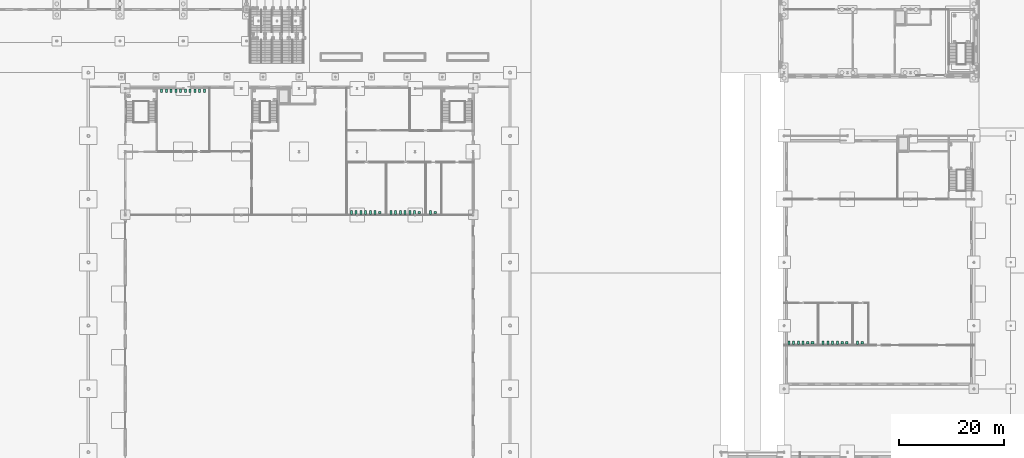
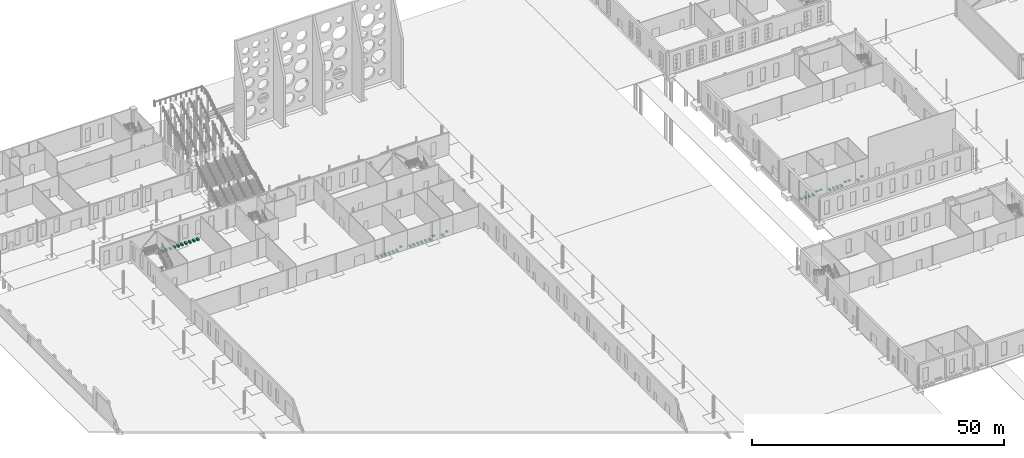
# One storey, part 130 of 132: 40 sanitary terminals.
"""IFC4 building model written with IfcOpenShell, lengths in metres."""

from ifc_helpers import new_model, si_unit, direction, frame, origin, origin_2d, place, context, subcontext, project, spatial, rectangle, extrude, material, type_object, element, save


model = new_model("IFC4")

# Units and contexts
model_context = context("Model", 3, precision=1e-05, world=origin(), true_north=direction((0.0, 1.0)))
body_context = subcontext(model_context, "Body", "Model", "MODEL_VIEW")
ifc_project = project(units=[si_unit("LENGTHUNIT", "METRE"), si_unit("AREAUNIT", "SQUARE_METRE"), si_unit("VOLUMEUNIT", "CUBIC_METRE"), si_unit("PLANEANGLEUNIT", "RADIAN"), si_unit("MASSUNIT", "GRAM", prefix="KILO")], contexts=[model_context])

# Site, building, storey
site_placement = place(None, origin())
site = spatial("IfcSite", under=ifc_project, at=site_placement, CompositionType="ELEMENT")
building_placement = place(site_placement, origin())
building = spatial("IfcBuilding", under=site, at=building_placement, Name="Ravi Spectrum Wholesale Market", CompositionType="ELEMENT")
storey_placement = place(building_placement, origin())
storey = spatial("IfcBuildingStorey", under=building, at=storey_placement, Name="L00", CompositionType="ELEMENT", Elevation=0.0)

# Sanitary terminals
ifc_material_1 = material(Name="Vitreous china")
sanitary_terminal_type_1 = type_object("IfcSanitaryTerminalType", Name="Wash hand basin", PredefinedType="WASHHANDBASIN", material=ifc_material_1)
for number, where, z_axis, x_axis, name in (
    (1, (85.300048828125, 171.449951171875, 0.7001953125), (0.0, 0.0, 1.0), (1.0, 0.0, 0.0), "Basin L00-H1-14-7"),
    (2, (92.800048828125, 171.449951171875, 0.7001953125), (0.0, 0.0, 1.0), (1.0, 0.0, 0.0), "Basin L00-H1-15-7"),
    (3, (95.800048828125, 171.449951171875, 0.7001953125), (0.0, 0.0, 1.0), (1.0, 0.0, 0.0), "Basin L00-H1-16-2"),
    (4, (166.5, 146.75, 0.7001953125), (0.0, 0.0, 1.0), (1.0, 0.0, 0.0), "Basin L00-H3-03-5"),
    (5, (167.39990234375, 146.75, 0.7001953125), (0.0, 0.0, 1.0), (1.0, 0.0, 0.0), "Basin L00-H3-03-6"),
    (6, (173.0, 146.75, 0.7001953125), (0.0, 0.0, 1.0), (1.0, 0.0, 0.0), "Basin L00-H3-04-5"),
    (7, (173.89990234375, 146.75, 0.7001953125), (0.0, 0.0, 1.0), (1.0, 0.0, 0.0), "Basin L00-H3-04-6"),
    (8, (176.800048828125, 146.75, 0.7001953125), (0.0, 0.0, 1.0), (1.0, 0.0, 0.0), "Basin L00-H3-05-2"),
):
    element("IfcSanitaryTerminal", number, at=place(storey_placement, frame(where, z_axis=z_axis, x_axis=x_axis)), inside=storey, type_object=sanitary_terminal_type_1, Name=name, PredefinedType="WASHHANDBASIN", context=body_context, shape_type="SweptSolid", body=[
        extrude(rectangle(XDim=0.5, YDim=0.39990234375, at=origin_2d()), origin(), (0.0, 0.0, 1.0), 0.199951171875),
    ])
ifc_material_2 = material(Name="Vitreous china")
sanitary_terminal_type_2 = type_object("IfcSanitaryTerminalType", Name="Water closet pan", PredefinedType="WCSEAT", material=ifc_material_2)
for number, where, z_axis, x_axis, name in (
    (9, (43.89990234375, 194.550048828125, 0.0), (0.0, 0.0, 1.0), (1.0, 0.0, 0.0), "Water closet L00-H1-08-1"),
    (10, (44.800048828125, 194.550048828125, 0.0), (0.0, 0.0, 1.0), (1.0, 0.0, 0.0), "Water closet L00-H1-08-2"),
    (11, (45.699951171875, 194.550048828125, 0.0), (0.0, 0.0, 1.0), (1.0, 0.0, 0.0), "Water closet L00-H1-08-3"),
    (12, (46.60009765625, 194.550048828125, 0.0), (0.0, 0.0, 1.0), (1.0, 0.0, 0.0), "Water closet L00-H1-08-4"),
    (13, (47.5, 194.550048828125, 0.0), (0.0, 0.0, 1.0), (1.0, 0.0, 0.0), "Water closet L00-H1-08-5"),
    (14, (48.39990234375, 194.550048828125, 0.0), (0.0, 0.0, 1.0), (1.0, 0.0, 0.0), "Water closet L00-H1-08-6"),
    (15, (49.300048828125, 194.550048828125, 0.0), (0.0, 0.0, 1.0), (1.0, 0.0, 0.0), "Water closet L00-H1-08-7"),
    (16, (50.199951171875, 194.550048828125, 0.0), (0.0, 0.0, 1.0), (1.0, 0.0, 0.0), "Water closet L00-H1-08-8"),
    (17, (51.10009765625, 194.550048828125, 0.0), (0.0, 0.0, 1.0), (1.0, 0.0, 0.0), "Water closet L00-H1-08-9"),
    (18, (52.0, 194.550048828125, 0.0), (0.0, 0.0, 1.0), (1.0, 0.0, 0.0), "Water closet L00-H1-08-10"),
    (19, (79.89990234375, 171.449951171875, 0.0), (0.0, 0.0, 1.0), (1.0, 0.0, 0.0), "Water closet L00-H1-14-1"),
    (20, (80.800048828125, 171.449951171875, 0.0), (0.0, 0.0, 1.0), (1.0, 0.0, 0.0), "Water closet L00-H1-14-2"),
    (21, (81.699951171875, 171.449951171875, 0.0), (0.0, 0.0, 1.0), (1.0, 0.0, 0.0), "Water closet L00-H1-14-3"),
    (22, (82.60009765625, 171.449951171875, 0.0), (0.0, 0.0, 1.0), (1.0, 0.0, 0.0), "Water closet L00-H1-14-4"),
    (23, (83.5, 171.449951171875, 0.0), (0.0, 0.0, 1.0), (1.0, 0.0, 0.0), "Water closet L00-H1-14-5"),
    (24, (84.39990234375, 171.449951171875, 0.0), (0.0, 0.0, 1.0), (1.0, 0.0, 0.0), "Water closet L00-H1-14-6"),
    (25, (87.39990234375, 171.449951171875, 0.0), (0.0, 0.0, 1.0), (1.0, 0.0, 0.0), "Water closet L00-H1-15-1"),
    (26, (88.300048828125, 171.449951171875, 0.0), (0.0, 0.0, 1.0), (1.0, 0.0, 0.0), "Water closet L00-H1-15-2"),
    (27, (89.199951171875, 171.449951171875, 0.0), (0.0, 0.0, 1.0), (1.0, 0.0, 0.0), "Water closet L00-H1-15-3"),
    (28, (90.10009765625, 171.449951171875, 0.0), (0.0, 0.0, 1.0), (1.0, 0.0, 0.0), "Water closet L00-H1-15-4"),
    (29, (91.0, 171.449951171875, 0.0), (0.0, 0.0, 1.0), (1.0, 0.0, 0.0), "Water closet L00-H1-15-5"),
    (30, (91.89990234375, 171.449951171875, 0.0), (0.0, 0.0, 1.0), (1.0, 0.0, 0.0), "Water closet L00-H1-15-6"),
    (31, (94.89990234375, 171.449951171875, 0.0), (0.0, 0.0, 1.0), (1.0, 0.0, 0.0), "Water closet L00-H1-16-1"),
    (32, (162.89990234375, 146.75, 0.0), (0.0, 0.0, 1.0), (1.0, 0.0, 0.0), "Water closet L00-H3-03-1"),
    (33, (163.800048828125, 146.75, 0.0), (0.0, 0.0, 1.0), (1.0, 0.0, 0.0), "Water closet L00-H3-03-2"),
    (34, (164.699951171875, 146.75, 0.0), (0.0, 0.0, 1.0), (1.0, 0.0, 0.0), "Water closet L00-H3-03-3"),
    (35, (165.60009765625, 146.75, 0.0), (0.0, 0.0, 1.0), (1.0, 0.0, 0.0), "Water closet L00-H3-03-4"),
    (36, (169.39990234375, 146.75, 0.0), (0.0, 0.0, 1.0), (1.0, 0.0, 0.0), "Water closet L00-H3-04-1"),
    (37, (170.300048828125, 146.75, 0.0), (0.0, 0.0, 1.0), (1.0, 0.0, 0.0), "Water closet L00-H3-04-2"),
    (38, (171.199951171875, 146.75, 0.0), (0.0, 0.0, 1.0), (1.0, 0.0, 0.0), "Water closet L00-H3-04-3"),
    (39, (172.10009765625, 146.75, 0.0), (0.0, 0.0, 1.0), (1.0, 0.0, 0.0), "Water closet L00-H3-04-4"),
    (40, (175.89990234375, 146.75, 0.0), (0.0, 0.0, 1.0), (1.0, 0.0, 0.0), "Water closet L00-H3-05-1"),
):
    element("IfcSanitaryTerminal", number, at=place(storey_placement, frame(where, z_axis=z_axis, x_axis=x_axis)), inside=storey, type_object=sanitary_terminal_type_2, Name=name, PredefinedType="WCSEAT", context=body_context, shape_type="SweptSolid", body=[
        extrude(rectangle(XDim=0.39990234375, YDim=0.699951171875, at=origin_2d()), origin(), (0.0, 0.0, 1.0), 0.39990234375),
    ])

save(model, "model.ifc")
